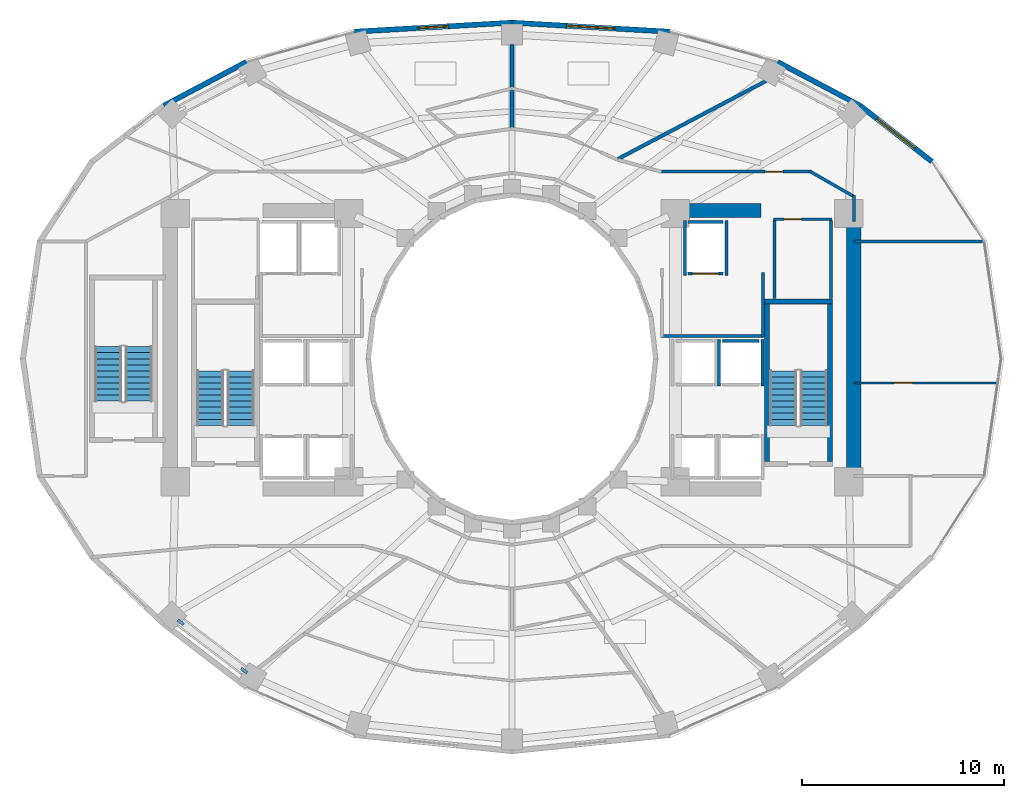
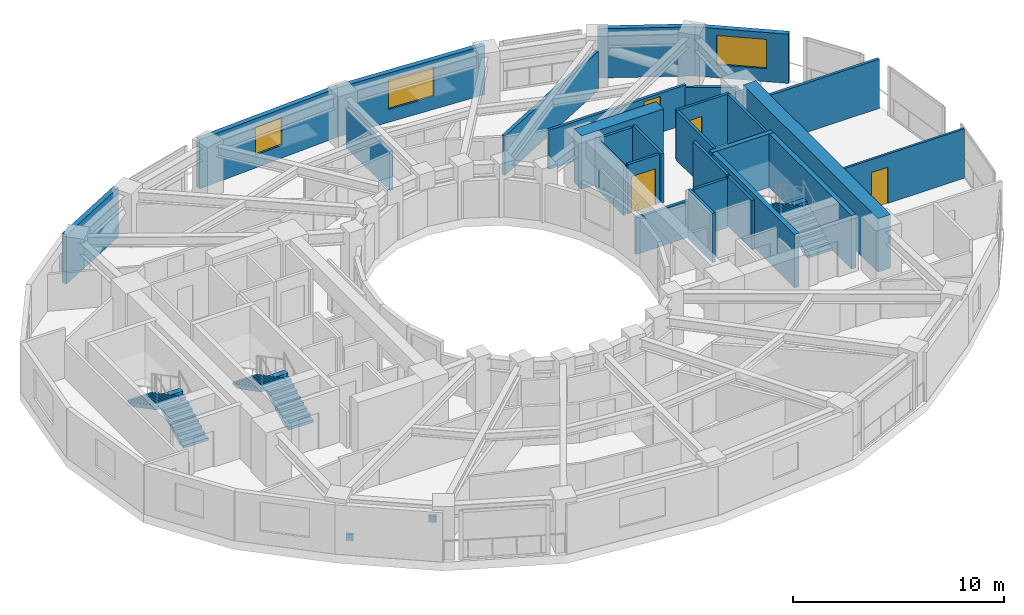
# One storey, part 14 of 18: 29 walls, 6 stair flights, 4 doors, 3 windows, 2 discrete accessories, 7 openings, 3 elements without a shape of their own.
"""IFC4 building model written with IfcOpenShell, lengths in metres."""

from ifc_helpers import new_model, si_unit, direction, frame, frame_2d, origin, origin_2d, place, context, subcontext, project, spatial, polyline, rectangle, outline, extrude, material, layer, layer_set, type_object, element, fill, aggregate, save


model = new_model("IFC4")

# Units and contexts
model_context = context("Model", 3, precision=1e-05, world=origin(), true_north=direction((0.0, 1.0)))
body_context = subcontext(model_context, "Body", "Model", "MODEL_VIEW")
ifc_project = project(units=[si_unit("LENGTHUNIT", "METRE"), si_unit("AREAUNIT", "SQUARE_METRE"), si_unit("VOLUMEUNIT", "CUBIC_METRE"), si_unit("PLANEANGLEUNIT", "RADIAN"), si_unit("MASSUNIT", "GRAM", prefix="KILO")], contexts=[model_context])

# Site, building, storey
site_placement = place(None, origin())
site = spatial("IfcSite", under=ifc_project, at=site_placement, CompositionType="ELEMENT")
building_placement = place(site_placement, origin())
building = spatial("IfcBuilding", under=site, at=building_placement, Name="Solvane Sanctuary Tower", CompositionType="ELEMENT")
storey_placement = place(building_placement, frame((0.0, 0.0, 94.89990234375)))
storey = spatial("IfcBuildingStorey", under=building, at=storey_placement, Name="L28", CompositionType="ELEMENT", Elevation=94.89990234375)

# Walls
ifc_material_1 = material(Name="Concrete C60/75", Category="concrete")
ifc_layer_1 = layer(ifc_material_1, 0.699951171875, Name="Concrete C60/75")
ifc_layer_set_1 = layer_set([ifc_layer_1], Name="Concrete C60/75")
wall_type_1 = type_object("IfcWallType", Name="Wall W-CORE-700", PredefinedType="SHEAR", material=ifc_layer_set_1)
wall_1_placement = place(storey_placement, frame((48.949951171875, 17.050048828125, 0.0), z_axis=(0.0, 0.0, 1.0), x_axis=(0.0, 1.0, 0.0)))
element("IfcWall", 1, at=wall_1_placement, inside=storey, type_object=wall_type_1, Name="L28 Core Shear Wall EC-E", PredefinedType="SHEAR", context=body_context, shape_type="SweptSolid", body=[
    extrude(rectangle(XDim=12.800048828125, YDim=0.699951171875, at=frame_2d((6.39990234375, 0.0))), origin(), (0.0, 0.0, 1.0), 3.10009765625),
])
wall_2_placement = place(storey_placement, frame((39.85009765625, 30.35009765625, 0.0), z_axis=(0.0, 0.0, 1.0), x_axis=(1.0, 0.0, 0.0)))
element("IfcWall", 2, at=wall_2_placement, inside=storey, type_object=wall_type_1, Name="L28 Core Shear Wall EC-N", PredefinedType="SHEAR", context=body_context, shape_type="SweptSolid", body=[
    extrude(rectangle(XDim=4.5, YDim=0.699951171875, at=frame_2d((2.25, 0.0))), origin(), (0.0, 0.0, 1.0), 3.10009765625),
])
ifc_material_2 = material(Name="Acoustic Gypsum Partition Board")
ifc_layer_2 = layer(ifc_material_2, 0.14990234375, Name="Acoustic Gypsum Partition Board")
ifc_layer_set_2 = layer_set([ifc_layer_2], Name="Acoustic Gypsum Partition Board")
wall_type_2 = type_object("IfcWallType", Name="Wall W-CORR-150", PredefinedType="PARTITIONING", material=ifc_layer_set_2)
wall_3_placement = place(storey_placement, frame((39.39990234375, 24.1201171875, 0.0), z_axis=(0.0, 0.0, 1.0), x_axis=(1.0, 0.0, 0.0)))
element("IfcWall", 3, at=wall_3_placement, inside=storey, type_object=wall_type_2, Name="L28 East Firefighting Lobby South Wall", PredefinedType="PARTITIONING", context=body_context, shape_type="SweptSolid", body=[
    extrude(rectangle(XDim=5.080078125, YDim=0.14990234375, at=frame_2d((2.5400390625, 0.0))), origin(), (0.0, 0.0, 1.0), 2.1201171875),
])
wall_4_placement = place(storey_placement, frame((44.449951171875, 24.080078125, 0.0), z_axis=(0.0, 0.0, 1.0), x_axis=(0.0, 1.0, 0.0)))
element("IfcWall", 4, at=wall_4_placement, inside=storey, type_object=wall_type_2, Name="L28 East Firefighting Lobby East Wall", PredefinedType="PARTITIONING", context=body_context, shape_type="SweptSolid", body=[
    extrude(rectangle(XDim=3.199951171875, YDim=0.14990234375, at=frame_2d((1.60009765625, 0.0))), origin(), (0.0, 0.0, 1.0), 2.85498046875),
])
wall_5_placement = place(storey_placement, frame((48.949951171875, 28.8251953125, 0.0), z_axis=(0.0, 0.0, 1.0), x_axis=(1.0, 0.0, 0.0)))
element("IfcWall", 5, at=wall_5_placement, inside=storey, type_object=wall_type_2, Name="L28 East Shoulder North Wall", PredefinedType="PARTITIONING", context=body_context, shape_type="SweptSolid", body=[
    extrude(rectangle(XDim=6.49169921875, YDim=0.14990234375, at=frame_2d((3.245849609375, 0.0))), origin(), (0.0, 0.0, 1.0), 2.85498046875),
])
wall_6_placement = place(storey_placement, frame((48.949951171875, 29.800048828125, 0.0), z_axis=(0.0, 0.0, 1.0), x_axis=(0.0, 1.0, 0.0)))
element("IfcWall", 6, at=wall_6_placement, inside=storey, type_object=wall_type_2, Name="L28 NE Corner Closer 1", PredefinedType="PARTITIONING", context=body_context, shape_type="SweptSolid", body=[
    extrude(rectangle(XDim=1.2900390625, YDim=0.14990234375, at=frame_2d((0.64501953125, 0.0))), origin(), (0.0, 0.0, 1.0), 2.14208984375),
])

# Wall, opening, door
wall_7_placement = place(storey_placement, frame((39.330078125, 32.280029296875, 0.0), z_axis=(0.0, 0.0, 1.0), x_axis=(1.0, 0.0, 0.0)))
wall_7 = element("IfcWall", 7, at=wall_7_placement, inside=storey, type_object=wall_type_2, Name="L28 NE Corner Corridor Wall", PredefinedType="PARTITIONING", context=body_context, shape_type="SweptSolid", body=[
    extrude(rectangle(XDim=7.52001953125, YDim=0.14990234375, at=frame_2d((3.760009765625, 0.0))), origin(), (0.0, 0.0, 1.0), 2.272216796875),
])
opening_1_placement = place(wall_7_placement, frame((5.219970703125, 0.0, 0.0)))
opening_1 = element("IfcOpeningElement", 8, at=opening_1_placement, cuts=wall_7, Name="Opening D-L28-11", PredefinedType="OPENING", context=body_context, shape_type="SweptSolid", body=[
    extrude(rectangle(XDim=0.89990234375, YDim=2.10009765625, at=frame_2d((0.449951171875, 1.050048828125))), frame((0.0, 0.0849609375, 0.0), z_axis=(0.0, -1.0, 0.0), x_axis=(1.0, 0.0, 0.0)), (0.0, 0.0, 1.0), 0.169921875),
])
ifc_material_3 = material(Name="Engineered Tropical Hardwood", Category="wood")
door_type_1 = type_object("IfcDoorType", Name="Door D-WET-900", OperationType="NOTDEFINED", PredefinedType="DOOR", material=ifc_material_3)
door_1_placement = place(opening_1_placement, origin())
door_1 = element("IfcDoor", 9, at=door_1_placement, inside=storey, type_object=door_type_1, Name="L28 NE Corner Salon Door", OperationType="SINGLE_SWING_RIGHT", OverallHeight=2.10009765625, OverallWidth=0.89990234375, PredefinedType="DOOR", context=body_context, shape_type="SweptSolid", body=[
    extrude(rectangle(XDim=0.89990234375, YDim=2.10009765625, at=frame_2d((0.449951171875, 1.050048828125))), frame((0.0, 0.02490234375, 0.0), z_axis=(0.0, -1.0, 0.0), x_axis=(1.0, 0.0, 0.0)), (0.0, 0.0, 1.0), 0.050048828125),
])
fill(opening_1, door_1)

# Wall
wall_8_placement = place(storey_placement, frame((46.756591796875, 32.3046875, 0.0), z_axis=(0.0, 0.0, 1.0), x_axis=(0.867991349648, -0.496579315857, 0.0)))
element("IfcWall", 10, at=wall_8_placement, inside=storey, type_object=wall_type_2, Name="L28 NE Corner Wing Wall", PredefinedType="PARTITIONING", context=body_context, shape_type="SweptSolid", body=[
    extrude(rectangle(XDim=2.56689453125, YDim=0.14990234375, at=frame_2d((1.283447265625, 0.0))), origin(), (0.0, 0.0, 1.0), 2.14208984375),
])

# Wall, opening, window
ifc_material_4 = material(Name="Precast concrete C40/50", Category="concrete")
ifc_layer_3 = layer(ifc_material_4, 0.260009765625, Name="Precast concrete C40/50")
ifc_layer_set_3 = layer_set([ifc_layer_3], Name="Precast concrete C40/50")
wall_type_3 = type_object("IfcWallType", Name="Wall W-EXT-250", PredefinedType="STANDARD", material=ifc_layer_set_3)
wall_9_placement = place(storey_placement, frame((52.820556640625, 32.786376953125, 0.0), z_axis=(0.0, 0.0, 1.0), x_axis=(-0.789127449954, 0.614229491094, 0.0)))
wall_9 = element("IfcWall", 11, at=wall_9_placement, inside=storey, type_object=wall_type_3, Name="L28 Ceramic-Printed Facade Wall 02", PredefinedType="STANDARD", context=body_context, shape_type="SweptSolid", body=[
    extrude(rectangle(XDim=4.504638671875, YDim=0.260009765625, at=frame_2d((2.25244140625, 0.0))), origin(), (0.0, 0.0, 1.0), 2.85009765625),
])
opening_2_placement = place(wall_9_placement, frame((1.05224609375, 0.0, 0.75)))
opening_2 = element("IfcOpeningElement", 12, at=opening_2_placement, cuts=wall_9, Name="Opening WN-RIB-2400", PredefinedType="OPENING", context=body_context, shape_type="SweptSolid", body=[
    extrude(rectangle(XDim=2.39990234375, YDim=1.699951171875, at=frame_2d((1.199951171875, 0.85009765625))), frame((0.0, 0.139892578125, 0.0), z_axis=(0.0, -1.0, 0.0), x_axis=(1.0, 0.0, 0.0)), (0.0, 0.0, 1.0), 0.280029296875),
])
ifc_material_5 = material(Name="Dark Ceramic-Fritted Low-E Glass", Category="glass")
window_type_1 = type_object("IfcWindowType", Name="Window WN-RIB-2400", PartitioningType="SINGLE_PANEL", PredefinedType="WINDOW", material=ifc_material_5)
window_1_placement = place(opening_2_placement, origin())
window_1 = element("IfcWindow", 13, at=window_1_placement, inside=storey, type_object=window_type_1, Name="L28 Operable Facade Window 02", OverallHeight=1.699951171875, OverallWidth=2.39990234375, PartitioningType="SINGLE_PANEL", PredefinedType="WINDOW", context=body_context, shape_type="SweptSolid", body=[
    extrude(rectangle(XDim=2.39990234375, YDim=1.699951171875, at=frame_2d((1.199951171875, 0.85009765625))), frame((0.0, 0.030029296875, 0.0), z_axis=(0.0, -1.0, 0.0), x_axis=(1.0, 0.0, 0.0)), (0.0, 0.0, 1.0), 0.06005859375),
])
fill(opening_2, window_1)

# Wall
wall_10_placement = place(storey_placement, frame((49.265869140625, 35.55322265625, 0.0), z_axis=(0.0, 0.0, 1.0), x_axis=(-0.883668636807, 0.4681129568, 0.0)))
element("IfcWall", 14, at=wall_10_placement, inside=storey, type_object=wall_type_3, Name="L28 Ceramic-Printed Facade Wall 03", PredefinedType="STANDARD", context=body_context, shape_type="SweptSolid", body=[
    extrude(rectangle(XDim=4.63134765625, YDim=0.260009765625, at=frame_2d((2.315673828125, 0.0))), origin(), (0.0, 0.0, 1.0), 2.85009765625),
])

# Wall, opening, window
wall_11_placement = place(storey_placement, frame((39.81640625, 39.2216796875, 0.0), z_axis=(0.0, 0.0, 1.0), x_axis=(-0.998352606703, 0.057376586592, 0.0)))
wall_11 = element("IfcWall", 15, at=wall_11_placement, inside=storey, type_object=wall_type_3, Name="L28 Ceramic-Printed Facade Wall 05", PredefinedType="STANDARD", context=body_context, shape_type="SweptSolid", body=[
    extrude(rectangle(XDim=7.829345703125, YDim=0.260009765625, at=frame_2d((3.91455078125, 0.0))), origin(), (0.0, 0.0, 1.0), 2.85009765625),
])
opening_3_placement = place(wall_11_placement, frame((2.714599609375, 0.0, 0.75)))
opening_3 = element("IfcOpeningElement", 16, at=opening_3_placement, cuts=wall_11, Name="Opening WN-RIB-2400", PredefinedType="OPENING", context=body_context, shape_type="SweptSolid", body=[
    extrude(rectangle(XDim=2.39990234375, YDim=1.699951171875, at=frame_2d((1.199951171875, 0.85009765625))), frame((0.0, 0.139892578125, 0.0), z_axis=(0.0, -1.0, 0.0), x_axis=(1.0, 0.0, 0.0)), (0.0, 0.0, 1.0), 0.280029296875),
])
window_2_placement = place(opening_3_placement, origin())
window_2 = element("IfcWindow", 17, at=window_2_placement, inside=storey, type_object=window_type_1, Name="L28 Operable Facade Window 05", OverallHeight=1.699951171875, OverallWidth=2.39990234375, PartitioningType="SINGLE_PANEL", PredefinedType="WINDOW", context=body_context, shape_type="SweptSolid", body=[
    extrude(rectangle(XDim=2.39990234375, YDim=1.699951171875, at=frame_2d((1.199951171875, 0.85009765625))), frame((0.0, 0.030029296875, 0.0), z_axis=(0.0, -1.0, 0.0), x_axis=(1.0, 0.0, 0.0)), (0.0, 0.0, 1.0), 0.06005859375),
])
fill(opening_3, window_2)

wall_12_placement = place(storey_placement, frame((32.0, 39.6708984375, 0.0), z_axis=(0.0, 0.0, 1.0), x_axis=(-0.998352606703, -0.057376586592, 0.0)))
wall_12 = element("IfcWall", 18, at=wall_12_placement, inside=storey, type_object=wall_type_3, Name="L28 Ceramic-Printed Facade Wall 06", PredefinedType="STANDARD", context=body_context, shape_type="SweptSolid", body=[
    extrude(rectangle(XDim=7.829345703125, YDim=0.260009765625, at=frame_2d((3.91455078125, 0.0))), origin(), (0.0, 0.0, 1.0), 2.85009765625),
])
opening_4_placement = place(wall_12_placement, frame((3.16455078125, 0.0, 0.75)))
opening_4 = element("IfcOpeningElement", 19, at=opening_4_placement, cuts=wall_12, Name="Opening WN-OPER-1500", PredefinedType="OPENING", context=body_context, shape_type="SweptSolid", body=[
    extrude(rectangle(XDim=1.5, YDim=1.60009765625, at=frame_2d((0.75, 0.800048828125))), frame((0.0, 0.139892578125, 0.0), z_axis=(0.0, -1.0, 0.0), x_axis=(1.0, 0.0, 0.0)), (0.0, 0.0, 1.0), 0.280029296875),
])
window_type_2 = type_object("IfcWindowType", Name="Window WN-OPER-1500", PartitioningType="SINGLE_PANEL", PredefinedType="WINDOW", material=ifc_material_5)
window_3_placement = place(opening_4_placement, origin())
window_3 = element("IfcWindow", 20, at=window_3_placement, inside=storey, type_object=window_type_2, Name="L28 Operable Facade Window 06", OverallHeight=1.60009765625, OverallWidth=1.5, PartitioningType="SINGLE_PANEL", PredefinedType="WINDOW", context=body_context, shape_type="SweptSolid", body=[
    extrude(rectangle(XDim=1.5, YDim=1.60009765625, at=frame_2d((0.75, 0.800048828125))), frame((0.0, 0.030029296875, 0.0), z_axis=(0.0, -1.0, 0.0), x_axis=(1.0, 0.0, 0.0)), (0.0, 0.0, 1.0), 0.06005859375),
])
fill(opening_4, window_3)

# Wall
wall_13_placement = place(storey_placement, frame((18.82666015625, 37.72119140625, 0.0), z_axis=(0.0, 0.0, 1.0), x_axis=(-0.883668636807, -0.4681129568, 0.0)))
element("IfcWall", 21, at=wall_13_placement, inside=storey, type_object=wall_type_3, Name="L28 Ceramic-Printed Facade Wall 08", PredefinedType="STANDARD", context=body_context, shape_type="SweptSolid", body=[
    extrude(rectangle(XDim=4.63134765625, YDim=0.260009765625, at=frame_2d((2.315673828125, 0.0))), origin(), (0.0, 0.0, 1.0), 2.85009765625),
])

# Wall, opening, door
ifc_layer_4 = layer(ifc_material_2, 0.1201171875, Name="Acoustic Gypsum Partition Board")
ifc_layer_set_4 = layer_set([ifc_layer_4], Name="Acoustic Gypsum Partition Board")
wall_type_4 = type_object("IfcWallType", Name="Wall W-MOV-100", PredefinedType="MOVABLE", material=ifc_layer_set_4)
wall_14_placement = place(storey_placement, frame((48.949951171875, 21.800048828125, 0.0), z_axis=(0.0, 0.0, 1.0), x_axis=(1.0, 0.0, 0.0)))
wall_14 = element("IfcWall", 22, at=wall_14_placement, inside=storey, type_object=wall_type_4, Name="L28 East Suite Partition", PredefinedType="MOVABLE", context=body_context, shape_type="SweptSolid", body=[
    extrude(rectangle(XDim=7.097412109375, YDim=0.1201171875, at=frame_2d((3.548828125, 0.0))), origin(), (0.0, 0.0, 1.0), 2.85498046875),
])
opening_5_placement = place(wall_14_placement, frame((2.0, 0.0, 0.0)))
opening_5 = element("IfcOpeningElement", 23, at=opening_5_placement, cuts=wall_14, Name="Opening D-L28-09", PredefinedType="OPENING", context=body_context, shape_type="SweptSolid", body=[
    extrude(rectangle(XDim=0.89990234375, YDim=2.10009765625, at=frame_2d((0.449951171875, 1.050048828125))), frame((0.0, 0.070068359375, 0.0), z_axis=(0.0, -1.0, 0.0), x_axis=(1.0, 0.0, 0.0)), (0.0, 0.0, 1.0), 0.14013671875),
])
door_2_placement = place(opening_5_placement, origin())
door_2 = element("IfcDoor", 24, at=door_2_placement, inside=storey, type_object=door_type_1, Name="L28 East Suite Internal Door", OperationType="SINGLE_SWING_RIGHT", OverallHeight=2.10009765625, OverallWidth=0.89990234375, PredefinedType="DOOR", context=body_context, shape_type="SweptSolid", body=[
    extrude(rectangle(XDim=0.89990234375, YDim=2.10009765625, at=frame_2d((0.449951171875, 1.050048828125))), frame((0.0, 0.02490234375, 0.0), z_axis=(0.0, -1.0, 0.0), x_axis=(1.0, 0.0, 0.0)), (0.0, 0.0, 1.0), 0.050048828125),
])
fill(opening_5, door_2)

# Walls
ifc_material_6 = material(Name="Concrete C50/60", Category="concrete")
ifc_layer_5 = layer(ifc_material_6, 0.14990234375, Name="Concrete C50/60")
ifc_layer_set_5 = layer_set([ifc_layer_5], Name="Concrete C50/60")
wall_type_5 = type_object("IfcWallType", Name="Wall W-SHAFT-150", PredefinedType="SOLIDWALL", material=ifc_layer_set_5)
wall_15_placement = place(storey_placement, frame((42.43994140625, 23.8798828125, 0.0), z_axis=(0.0, 0.0, 1.0), x_axis=(1.0, 0.0, 0.0)))
element("IfcWall", 25, at=wall_15_placement, inside=storey, type_object=wall_type_5, Name="L28 PM-2 Lift Shaft Wall B", PredefinedType="SOLIDWALL", context=body_context, shape_type="SweptSolid", body=[
    extrude(rectangle(XDim=1.820068359375, YDim=0.14990234375, at=frame_2d((0.91015625, 0.0))), origin(), (0.0, 0.0, 1.0), 2.85498046875),
])
for number, where, z_axis, x_axis, name in (
    (26, (42.27001953125, 21.639892578125, 0.0), (0.0, 0.0, 1.0), (0.0, 1.0, 0.0), "L28 PM-2 Lift Shaft Wall S1"),
    (27, (44.429931640625, 21.639892578125, 0.0), (0.0, 0.0, 1.0), (0.0, 1.0, 0.0), "L28 PM-2 Lift Shaft Wall S2"),
):
    element("IfcWall", number, at=place(storey_placement, frame(where, z_axis=z_axis, x_axis=x_axis)), inside=storey, type_object=wall_type_5, Name=name, PredefinedType="SOLIDWALL", context=body_context, shape_type="SweptSolid", body=[
        extrude(rectangle(XDim=2.320068359375, YDim=0.14990234375, at=frame_2d((1.16015625, 0.0))), origin(), (0.0, 0.0, 1.0), 2.85498046875),
    ])

# Wall, opening, door
wall_16_placement = place(storey_placement, frame((40.739990234375, 27.219970703125, 0.0), z_axis=(0.0, 0.0, 1.0), x_axis=(1.0, 0.0, 0.0)))
wall_16 = element("IfcWall", 28, at=wall_16_placement, inside=storey, type_object=wall_type_5, Name="L28 FFL-2 Lift Shaft Wall F", PredefinedType="SOLIDWALL", context=body_context, shape_type="SweptSolid", body=[
    extrude(rectangle(XDim=1.719970703125, YDim=0.14990234375, at=frame_2d((0.85986328125, 0.0))), origin(), (0.0, 0.0, 1.0), 2.85498046875),
])
opening_6_placement = place(wall_16_placement, frame((0.2099609375, 0.0, 0.0)))
opening_6 = element("IfcOpeningElement", 29, at=opening_6_placement, cuts=wall_16, Name="Opening LD-L28-07", PredefinedType="OPENING", context=body_context, shape_type="SweptSolid", body=[
    extrude(rectangle(XDim=1.300048828125, YDim=2.10009765625, at=frame_2d((0.64990234375, 1.050048828125))), frame((0.0, 0.0849609375, 0.0), z_axis=(0.0, -1.0, 0.0), x_axis=(1.0, 0.0, 0.0)), (0.0, 0.0, 1.0), 0.169921875),
])
ifc_material_7 = material(Name="Architectural Stainless Steel 316", Category="steel")
door_type_2 = type_object("IfcDoorType", Name="Door LD-FFL-1300", OperationType="NOTDEFINED", PredefinedType="DOOR", material=ifc_material_7)
door_3_placement = place(opening_6_placement, origin())
door_3 = element("IfcDoor", 30, at=door_3_placement, inside=storey, type_object=door_type_2, Name="L28 FFL-2 Lift Landing Door", OperationType="DOUBLE_DOOR_SLIDING", OverallHeight=2.10009765625, OverallWidth=1.300048828125, PredefinedType="DOOR", context=body_context, shape_type="SweptSolid", body=[
    extrude(rectangle(XDim=1.300048828125, YDim=2.10009765625, at=frame_2d((0.64990234375, 1.050048828125))), frame((0.0, 0.02490234375, 0.0), z_axis=(0.0, -1.0, 0.0), x_axis=(1.0, 0.0, 0.0)), (0.0, 0.0, 1.0), 0.050048828125),
])
fill(opening_6, door_3)

# Walls
wall_17_placement = place(storey_placement, frame((40.739990234375, 29.780029296875, 0.0), z_axis=(0.0, 0.0, 1.0), x_axis=(1.0, 0.0, 0.0)))
element("IfcWall", 31, at=wall_17_placement, inside=storey, type_object=wall_type_5, Name="L28 FFL-2 Lift Shaft Wall B", PredefinedType="SOLIDWALL", context=body_context, shape_type="SweptSolid", body=[
    extrude(rectangle(XDim=1.719970703125, YDim=0.14990234375, at=frame_2d((0.85986328125, 0.0))), origin(), (0.0, 0.0, 1.0), 2.85498046875),
])
for number, where, z_axis, x_axis, name in (
    (32, (40.570068359375, 27.139892578125, 0.0), (0.0, 0.0, 1.0), (0.0, 1.0, 0.0), "L28 FFL-2 Lift Shaft Wall S1"),
    (33, (42.6298828125, 27.139892578125, 0.0), (0.0, 0.0, 1.0), (0.0, 1.0, 0.0), "L28 FFL-2 Lift Shaft Wall S2"),
):
    element("IfcWall", number, at=place(storey_placement, frame(where, z_axis=z_axis, x_axis=x_axis)), inside=storey, type_object=wall_type_5, Name=name, PredefinedType="SOLIDWALL", context=body_context, shape_type="SweptSolid", body=[
        extrude(rectangle(XDim=2.72021484375, YDim=0.14990234375, at=frame_2d((1.360107421875, 0.0))), origin(), (0.0, 0.0, 1.0), 2.85498046875),
    ])
ifc_layer_6 = layer(ifc_material_6, 0.25, Name="Concrete C50/60")
ifc_layer_set_6 = layer_set([ifc_layer_6], Name="Concrete C50/60")
wall_type_6 = type_object("IfcWallType", Name="Wall W-SHAFT-250", PredefinedType="SOLIDWALL", material=ifc_layer_set_6)
wall_18_placement = place(storey_placement, frame((44.52490234375, 25.830078125, 0.0), z_axis=(0.0, 0.0, 1.0), x_axis=(1.0, 0.0, 0.0)))
element("IfcWall", 34, at=wall_18_placement, inside=storey, type_object=wall_type_6, Name="L28 ST-2 Load-Bearing Shaft Wall N", PredefinedType="SOLIDWALL", context=body_context, shape_type="SweptSolid", body=[
    extrude(rectangle(XDim=3.3701171875, YDim=0.25, at=frame_2d((1.68505859375, 0.0))), origin(), (0.0, 0.0, 1.0), 3.10009765625),
])
for number, where, z_axis, x_axis, name in (
    (35, (44.64990234375, 17.89501953125, 0.0), (0.0, 0.0, 1.0), (0.0, 1.0, 0.0), "L28 ST-2 Load-Bearing Shaft Wall W"),
    (36, (47.77001953125, 17.89501953125, 0.0), (0.0, 0.0, 1.0), (0.0, 1.0, 0.0), "L28 ST-2 Load-Bearing Shaft Wall E"),
):
    element("IfcWall", number, at=place(storey_placement, frame(where, z_axis=z_axis, x_axis=x_axis)), inside=storey, type_object=wall_type_6, Name=name, PredefinedType="SOLIDWALL", context=body_context, shape_type="SweptSolid", body=[
        extrude(rectangle(XDim=7.81005859375, YDim=0.25, at=frame_2d((3.905029296875, 0.0))), origin(), (0.0, 0.0, 1.0), 3.10009765625),
    ])
ifc_layer_7 = layer(ifc_material_2, 0.179931640625, Name="Acoustic Gypsum Partition Board")
ifc_layer_set_7 = layer_set([ifc_layer_7], Name="Acoustic Gypsum Partition Board")
wall_type_7 = type_object("IfcWallType", Name="Wall W-UNIT-180", PredefinedType="PARTITIONING", material=ifc_layer_set_7)
wall_19_placement = place(storey_placement, frame((37.253662109375, 32.906982421875, 0.0), z_axis=(0.0, 0.0, 1.0), x_axis=(0.884730147854, 0.466103599512, 0.0)))
element("IfcWall", 37, at=wall_19_placement, inside=storey, type_object=wall_type_7, Name="L28 Radial Compartment Wall 060", PredefinedType="PARTITIONING", context=body_context, shape_type="SweptSolid", body=[
    extrude(rectangle(XDim=8.309814453125, YDim=0.179931640625, at=frame_2d((4.15478515625, 0.0))), origin(), (0.0, 0.0, 1.0), 2.272216796875),
])
wall_20_placement = place(storey_placement, frame((32.0, 34.465087890625, 0.0), z_axis=(0.0, 0.0, 1.0), x_axis=(0.0, 1.0, 0.0)))
element("IfcWall", 38, at=wall_20_placement, inside=storey, type_object=wall_type_7, Name="L28 Radial Compartment Wall 090", PredefinedType="PARTITIONING", context=body_context, shape_type="SweptSolid", body=[
    extrude(rectangle(XDim=4.10986328125, YDim=0.179931640625, at=frame_2d((2.054931640625, 0.0))), origin(), (0.0, 0.0, 1.0), 2.272216796875),
])

# Wall, opening, door
ifc_layer_8 = layer(ifc_material_2, 0.139892578125, Name="Acoustic Gypsum Partition Board")
ifc_layer_set_8 = layer_set([ifc_layer_8], Name="Acoustic Gypsum Partition Board")
wall_type_8 = type_object("IfcWallType", Name="Wall W-WET-140", PredefinedType="PLUMBINGWALL", material=ifc_layer_set_8)
wall_21_placement = place(storey_placement, frame((44.97998046875, 29.919921875, 0.0), z_axis=(0.0, 0.0, 1.0), x_axis=(1.0, 0.0, 0.0)))
wall_21 = element("IfcWall", 39, at=wall_21_placement, inside=storey, type_object=wall_type_8, Name="L28 Core Service Front Wall KE0", PredefinedType="PLUMBINGWALL", context=body_context, shape_type="SweptSolid", body=[
    extrude(rectangle(XDim=2.89990234375, YDim=0.139892578125, at=frame_2d((1.449951171875, 0.0))), origin(), (0.0, 0.0, 1.0), 2.85498046875),
])
opening_7_placement = place(wall_21_placement, frame((0.515869140625, 0.0, 0.0)))
opening_7 = element("IfcOpeningElement", 40, at=opening_7_placement, cuts=wall_21, Name="Opening D-L28-07", PredefinedType="OPENING", context=body_context, shape_type="SweptSolid", body=[
    extrude(rectangle(XDim=0.85009765625, YDim=2.050048828125, at=frame_2d((0.425048828125, 1.02490234375))), frame((0.0, 0.079833984375, 0.0), z_axis=(0.0, -1.0, 0.0), x_axis=(1.0, 0.0, 0.0)), (0.0, 0.0, 1.0), 0.159912109375),
])
door_type_3 = type_object("IfcDoorType", Name="Door D-RISER", OperationType="NOTDEFINED", PredefinedType="DOOR", material=ifc_material_7)
door_4_placement = place(opening_7_placement, origin())
door_4 = element("IfcDoor", 41, at=door_4_placement, inside=storey, type_object=door_type_3, Name="L28 Core Service Room Door KE0-1", OperationType="SINGLE_SWING_RIGHT", OverallHeight=2.050048828125, OverallWidth=0.85009765625, PredefinedType="DOOR", context=body_context, shape_type="SweptSolid", body=[
    extrude(rectangle(XDim=0.85009765625, YDim=2.050048828125, at=frame_2d((0.425048828125, 1.02490234375))), frame((0.0, 0.02490234375, 0.0), z_axis=(0.0, -1.0, 0.0), x_axis=(1.0, 0.0, 0.0)), (0.0, 0.0, 1.0), 0.050048828125),
])
fill(opening_7, door_4)

# Walls
for number, where, z_axis, x_axis, name in (
    (42, (45.02001953125, 25.97998046875, 0.0), (0.0, 0.0, 1.0), (0.0, 1.0, 0.0), "L28 Core Service Side Wall KE0-1"),
    (43, (47.820068359375, 25.97998046875, 0.0), (0.0, 0.0, 1.0), (0.0, 1.0, 0.0), "L28 Core Service Side Wall KE0-2"),
):
    element("IfcWall", number, at=place(storey_placement, frame(where, z_axis=z_axis, x_axis=x_axis)), inside=storey, type_object=wall_type_8, Name=name, PredefinedType="PLUMBINGWALL", context=body_context, shape_type="SweptSolid", body=[
        extrude(rectangle(XDim=3.880126953125, YDim=0.139892578125, at=frame_2d((1.93994140625, 0.0))), origin(), (0.0, 0.0, 1.0), 2.85498046875),
    ])

# Stair, stair flights
ifc_material_8 = material(Name="Concrete C45/55", Category="concrete")
stair_type = type_object("IfcStairType", Name="Stair ST-TOW", PredefinedType="HALF_TURN_STAIR", material=ifc_material_8)
stair_1_placement = place(storey_placement, origin())
stair_1 = element("IfcStair", 44, at=stair_1_placement, inside=storey, type_object=stair_type, Name="L28 Exit Stair ST-1 West Core", PredefinedType="HALF_TURN_STAIR")
stair_flight_type = type_object("IfcStairFlightType", Name="StairFlight SF-TOW", PredefinedType="STRAIGHT", material=ifc_material_8)
stair_flight_1_placement = place(storey_placement, frame((18.544921875, 19.699951171875, 0.0), z_axis=(0.0, 0.0, 1.0), x_axis=(0.0, 1.0, 0.0)))
stair_flight_1 = element("IfcStairFlight", 45, at=stair_flight_1_placement, type_object=stair_flight_type, Name="ST-1 flight 1", NumberOfRisers=10, NumberOfTreads=9, PredefinedType="STRAIGHT", RiserHeight=0.155, TreadLength=0.3, context=body_context, shape_type="SweptSolid", body=[
    extrude(outline(polyline([(0.0, 0.0), (0.0, 0.155029296875), (0.300048828125, 0.155029296875), (0.300048828125, 0.31005859375), (0.60009765625, 0.31005859375), (0.60009765625, 0.465087890625), (0.89990234375, 0.465087890625), (0.89990234375, 0.6201171875), (1.199951171875, 0.6201171875), (1.199951171875, 0.77490234375), (1.5, 0.77490234375), (1.5, 0.929931640625), (1.800048828125, 0.929931640625), (1.800048828125, 1.0849609375), (2.10009765625, 1.0849609375), (2.10009765625, 1.239990234375), (2.39990234375, 1.239990234375), (2.39990234375, 1.39501953125), (2.699951171875, 1.39501953125), (2.699951171875, 1.550048828125), (2.699951171875, 1.1923828125), (0.39208984375, 0.0), (0.0, 0.0)])), frame((0.0, 0.675048828125, 0.0), z_axis=(0.0, -1.0, 0.0), x_axis=(1.0, 0.0, 0.0)), (0.0, 0.0, 1.0), 1.35009765625),
])
stair_flight_2_placement = place(storey_placement, frame((17.034912109375, 22.39990234375, 1.550048828125), z_axis=(0.0, 0.0, 1.0), x_axis=(0.0, -1.0, 0.0)))
stair_flight_2 = element("IfcStairFlight", 46, at=stair_flight_2_placement, type_object=stair_flight_type, Name="ST-1 flight 2", NumberOfRisers=10, NumberOfTreads=9, PredefinedType="STRAIGHT", RiserHeight=0.155, TreadLength=0.3, context=body_context, shape_type="SweptSolid", body=[
    extrude(outline(polyline([(0.0, 0.0), (0.0, 0.155029296875), (0.300048828125, 0.155029296875), (0.300048828125, 0.31005859375), (0.60009765625, 0.31005859375), (0.60009765625, 0.465087890625), (0.89990234375, 0.465087890625), (0.89990234375, 0.6201171875), (1.199951171875, 0.6201171875), (1.199951171875, 0.77490234375), (1.5, 0.77490234375), (1.5, 0.929931640625), (1.800048828125, 0.929931640625), (1.800048828125, 1.0849609375), (2.10009765625, 1.0849609375), (2.10009765625, 1.239990234375), (2.39990234375, 1.239990234375), (2.39990234375, 1.39501953125), (2.699951171875, 1.39501953125), (2.699951171875, 1.550048828125), (2.699951171875, 1.1923828125), (0.39208984375, 0.0), (0.0, 0.0)])), frame((0.0, 0.675048828125, 0.0), z_axis=(0.0, -1.0, 0.0), x_axis=(1.0, 0.0, 0.0)), (0.0, 0.0, 1.0), 1.35009765625),
])
aggregate(stair_1, [stair_flight_1, stair_flight_2])

stair_2_placement = place(storey_placement, origin())
stair_2 = element("IfcStair", 47, at=stair_2_placement, inside=storey, type_object=stair_type, Name="L28 Exit Stair ST-2 East Core", PredefinedType="HALF_TURN_STAIR")
stair_flight_3_placement = place(storey_placement, frame((46.965087890625, 19.699951171875, 0.0), z_axis=(0.0, 0.0, 1.0), x_axis=(0.0, 1.0, 0.0)))
stair_flight_3 = element("IfcStairFlight", 48, at=stair_flight_3_placement, type_object=stair_flight_type, Name="ST-2 flight 1", NumberOfRisers=10, NumberOfTreads=9, PredefinedType="STRAIGHT", RiserHeight=0.155, TreadLength=0.3, context=body_context, shape_type="SweptSolid", body=[
    extrude(outline(polyline([(0.0, 0.0), (0.0, 0.155029296875), (0.300048828125, 0.155029296875), (0.300048828125, 0.31005859375), (0.60009765625, 0.31005859375), (0.60009765625, 0.465087890625), (0.89990234375, 0.465087890625), (0.89990234375, 0.6201171875), (1.199951171875, 0.6201171875), (1.199951171875, 0.77490234375), (1.5, 0.77490234375), (1.5, 0.929931640625), (1.800048828125, 0.929931640625), (1.800048828125, 1.0849609375), (2.10009765625, 1.0849609375), (2.10009765625, 1.239990234375), (2.39990234375, 1.239990234375), (2.39990234375, 1.39501953125), (2.699951171875, 1.39501953125), (2.699951171875, 1.550048828125), (2.699951171875, 1.1923828125), (0.39208984375, 0.0), (0.0, 0.0)])), frame((0.0, 0.675048828125, 0.0), z_axis=(0.0, -1.0, 0.0), x_axis=(1.0, 0.0, 0.0)), (0.0, 0.0, 1.0), 1.35009765625),
])
stair_flight_4_placement = place(storey_placement, frame((45.455078125, 22.39990234375, 1.550048828125), z_axis=(0.0, 0.0, 1.0), x_axis=(0.0, -1.0, 0.0)))
stair_flight_4 = element("IfcStairFlight", 49, at=stair_flight_4_placement, type_object=stair_flight_type, Name="ST-2 flight 2", NumberOfRisers=10, NumberOfTreads=9, PredefinedType="STRAIGHT", RiserHeight=0.155, TreadLength=0.3, context=body_context, shape_type="SweptSolid", body=[
    extrude(outline(polyline([(0.0, 0.0), (0.0, 0.155029296875), (0.300048828125, 0.155029296875), (0.300048828125, 0.31005859375), (0.60009765625, 0.31005859375), (0.60009765625, 0.465087890625), (0.89990234375, 0.465087890625), (0.89990234375, 0.6201171875), (1.199951171875, 0.6201171875), (1.199951171875, 0.77490234375), (1.5, 0.77490234375), (1.5, 0.929931640625), (1.800048828125, 0.929931640625), (1.800048828125, 1.0849609375), (2.10009765625, 1.0849609375), (2.10009765625, 1.239990234375), (2.39990234375, 1.239990234375), (2.39990234375, 1.39501953125), (2.699951171875, 1.39501953125), (2.699951171875, 1.550048828125), (2.699951171875, 1.1923828125), (0.39208984375, 0.0), (0.0, 0.0)])), frame((0.0, 0.675048828125, 0.0), z_axis=(0.0, -1.0, 0.0), x_axis=(1.0, 0.0, 0.0)), (0.0, 0.0, 1.0), 1.35009765625),
])
aggregate(stair_2, [stair_flight_3, stair_flight_4])

stair_3_placement = place(storey_placement, origin())
stair_3 = element("IfcStair", 50, at=stair_3_placement, inside=storey, type_object=stair_type, Name="L28 Exit Stair ST-3 Pilgrim Tower Stair", PredefinedType="HALF_TURN_STAIR")
stair_flight_5_placement = place(storey_placement, frame((13.485107421875, 20.89990234375, 0.0), z_axis=(0.0, 0.0, 1.0), x_axis=(0.0, 1.0, 0.0)))
stair_flight_5 = element("IfcStairFlight", 51, at=stair_flight_5_placement, type_object=stair_flight_type, Name="ST-3 flight 1", NumberOfRisers=10, NumberOfTreads=9, PredefinedType="STRAIGHT", RiserHeight=0.155, TreadLength=0.3, context=body_context, shape_type="SweptSolid", body=[
    extrude(outline(polyline([(0.0, 0.0), (0.0, 0.155029296875), (0.300048828125, 0.155029296875), (0.300048828125, 0.31005859375), (0.60009765625, 0.31005859375), (0.60009765625, 0.465087890625), (0.89990234375, 0.465087890625), (0.89990234375, 0.6201171875), (1.199951171875, 0.6201171875), (1.199951171875, 0.77490234375), (1.5, 0.77490234375), (1.5, 0.929931640625), (1.800048828125, 0.929931640625), (1.800048828125, 1.0849609375), (2.10009765625, 1.0849609375), (2.10009765625, 1.239990234375), (2.39990234375, 1.239990234375), (2.39990234375, 1.39501953125), (2.699951171875, 1.39501953125), (2.699951171875, 1.550048828125), (2.699951171875, 1.1923828125), (0.39208984375, 0.0), (0.0, 0.0)])), frame((0.0, 0.675048828125, 0.0), z_axis=(0.0, -1.0, 0.0), x_axis=(1.0, 0.0, 0.0)), (0.0, 0.0, 1.0), 1.35009765625),
])
stair_flight_6_placement = place(storey_placement, frame((11.97509765625, 23.60009765625, 1.550048828125), z_axis=(0.0, 0.0, 1.0), x_axis=(0.0, -1.0, 0.0)))
stair_flight_6 = element("IfcStairFlight", 52, at=stair_flight_6_placement, type_object=stair_flight_type, Name="ST-3 flight 2", NumberOfRisers=10, NumberOfTreads=9, PredefinedType="STRAIGHT", RiserHeight=0.155, TreadLength=0.3, context=body_context, shape_type="SweptSolid", body=[
    extrude(outline(polyline([(0.0, 0.0), (0.0, 0.155029296875), (0.300048828125, 0.155029296875), (0.300048828125, 0.31005859375), (0.60009765625, 0.31005859375), (0.60009765625, 0.465087890625), (0.89990234375, 0.465087890625), (0.89990234375, 0.6201171875), (1.199951171875, 0.6201171875), (1.199951171875, 0.77490234375), (1.5, 0.77490234375), (1.5, 0.929931640625), (1.800048828125, 0.929931640625), (1.800048828125, 1.0849609375), (2.10009765625, 1.0849609375), (2.10009765625, 1.239990234375), (2.39990234375, 1.239990234375), (2.39990234375, 1.39501953125), (2.699951171875, 1.39501953125), (2.699951171875, 1.550048828125), (2.699951171875, 1.1923828125), (0.39208984375, 0.0), (0.0, 0.0)])), frame((0.0, 0.675048828125, 0.0), z_axis=(0.0, -1.0, 0.0), x_axis=(1.0, 0.0, 0.0)), (0.0, 0.0, 1.0), 1.35009765625),
])
aggregate(stair_3, [stair_flight_5, stair_flight_6])

# Discrete accessories
ifc_material_9 = material(Name="Steel ASTM A572 Grade 50", Category="steel")
ifc_layer_9 = layer(ifc_material_9, 0.360107421875, Name="Steel ASTM A572 Grade 50")
ifc_layer_set_9 = layer_set([ifc_layer_9], Name="Steel ASTM A572 Grade 50")
discrete_accessory_type = type_object("IfcDiscreteAccessoryType", Name="Accessory ACC-GUSSET-BRK", PredefinedType="BRACKET", material=ifc_layer_set_9)
for number, where, z_axis, x_axis, name in (
    (53, (15.572265625, 9.933349609375, 0.390625), (0.0, 0.0, 1.0), (0.795473480855, -0.605988400266, 0.0), "L28 Perimeter Braced-Tube Diagonal SW End Gusset Bracket A"),
    (54, (18.716796875, 7.537353515625, 1.8017578125), (0.0, 0.0, 1.0), (0.795473480855, -0.605988400266, 0.0), "L28 Perimeter Braced-Tube Diagonal SW End Gusset Bracket B"),
):
    element("IfcDiscreteAccessory", number, at=place(storey_placement, frame(where, z_axis=z_axis, x_axis=x_axis)), inside=storey, type_object=discrete_accessory_type, Name=name, PredefinedType="BRACKET", context=body_context, shape_type="SweptSolid", body=[
        extrude(rectangle(XDim=0.360107421875, YDim=0.139892578125, at=origin_2d()), origin(), (0.0, 0.0, 1.0), 0.360107421875),
    ])

save(model, "model.ifc")
